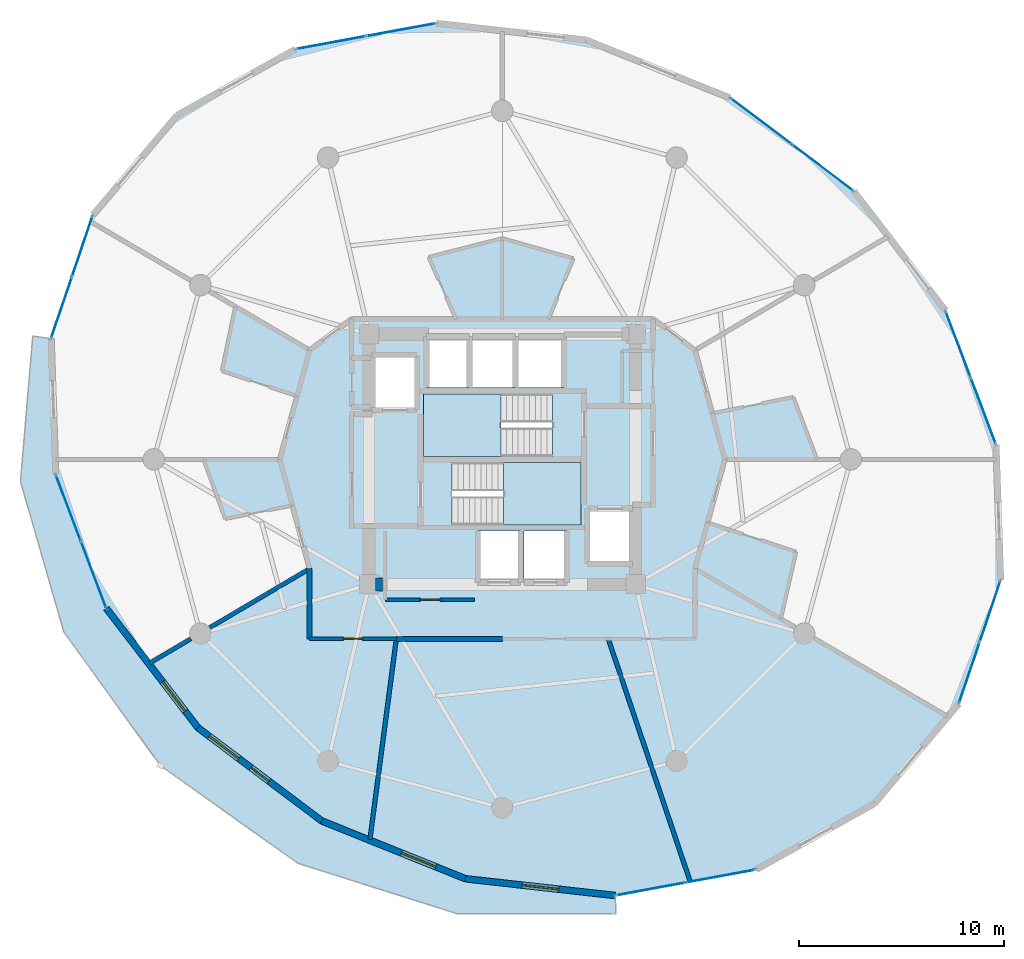
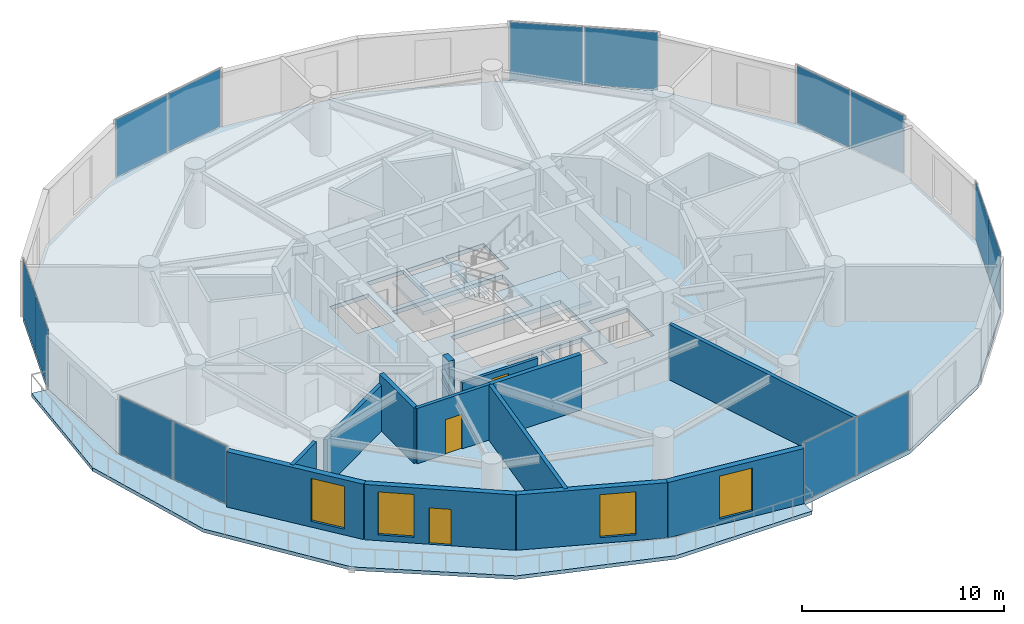
# One storey, part 20 of 25: 14 plates, 13 walls, 4 slabs, 4 windows, 3 doors, 7 openings, 9 elements without a shape of their own.
"""IFC4 building model written with IfcOpenShell, lengths in metres."""

from ifc_helpers import new_model, si_unit, direction, frame, frame_2d, origin, origin_2d, place, context, subcontext, project, spatial, polyline, rectangle, outline, extrude, source, transform, mapped, material, layer, layer_set, type_object, element, fill, aggregate, save


model = new_model("IFC4")

# Units and contexts
model_context = context("Model", 3, precision=1e-05, world=origin(), true_north=direction((0.0, 1.0)))
body_context = subcontext(model_context, "Body", "Model", "MODEL_VIEW")
ifc_project = project(units=[si_unit("LENGTHUNIT", "METRE"), si_unit("AREAUNIT", "SQUARE_METRE"), si_unit("VOLUMEUNIT", "CUBIC_METRE"), si_unit("PLANEANGLEUNIT", "RADIAN"), si_unit("MASSUNIT", "GRAM", prefix="KILO")], contexts=[model_context])

# Site, building, storey
site_placement = place(None, origin())
site = spatial("IfcSite", under=ifc_project, at=site_placement, CompositionType="ELEMENT")
building_placement = place(site_placement, origin())
building = spatial("IfcBuilding", under=site, at=building_placement, Name="Solvirekh Grand Hotel", CompositionType="ELEMENT")
storey_placement = place(building_placement, frame((0.0, 0.0, 102.60009765625)))
storey = spatial("IfcBuildingStorey", under=building, at=storey_placement, Name="L25", CompositionType="ELEMENT", Elevation=102.60009765625)

# Slab
ifc_material_1 = material(Name="Concrete C50/60", Category="concrete")
ifc_layer_1 = layer(ifc_material_1, 0.215087890625)
ifc_layer_set_1 = layer_set([ifc_layer_1], Name="Concrete C50/60")
slab_type_1 = type_object("IfcSlabType", Name="ExtCrescentBalc_215", PredefinedType="FLOOR", material=ifc_layer_set_1)
slab_1_placement = place(storey_placement, frame((0.0, 0.0, -0.215087890625)))
element("IfcSlab", 1, at=slab_1_placement, inside=storey, type_object=slab_type_1, Name="L25 sweeping crescent balcony slab", PredefinedType="FLOOR", context=body_context, shape_type="SweptSolid", body=[
    extrude(outline(polyline([(-22.902099609375, 6.013916015625), (-23.5, -1.073974609375), (-21.384033203125, -8.423095703125), (-16.66796875, -14.93896484375), (-9.968994140625, -19.700927734375), (-2.220947265625, -22.15087890625), (5.5390625, -22.173095703125), (5.510986328125, -21.27294921875), (-1.7900390625, -20.455078125), (-8.802978515625, -17.635009765625), (-14.842041015625, -13.089111328125), (-19.31494140625, -7.260986328125), (-21.785888671875, -0.722900390625), (-22.010986328125, 5.885986328125), (-22.902099609375, 6.013916015625)])), origin(), (0.0, 0.0, 1.0), 0.215087890625),
])

# Stair, slab
ifc_material_2 = material(Name="Concrete C40/50", Category="concrete")
stair_type = type_object("IfcStairType", Name="Stair_Core_1450", PredefinedType="HALF_TURN_STAIR", material=ifc_material_2)
stair_1_placement = place(storey_placement, origin())
stair_1 = element("IfcStair", 2, at=stair_1_placement, inside=storey, type_object=stair_type, Name="L25 Enclosed exit stair ST-1", PredefinedType="HALF_TURN_STAIR")
ifc_layer_2 = layer(ifc_material_2, 0.199951171875)
ifc_layer_set_2 = layer_set([ifc_layer_2], Name="Concrete C40/50")
slab_type_2 = type_object("IfcSlabType", Name="Landing_Stair_200", PredefinedType="LANDING", material=ifc_layer_set_2)
slab_2_placement = place(storey_placement, frame((0.0, 0.0, 1.599853515625)))
slab_2 = element("IfcSlab", 3, at=slab_2_placement, type_object=slab_type_2, Name="ST-1 landing 1", PredefinedType="LANDING", context=body_context, shape_type="SweptSolid", body=[
    extrude(outline(polyline([(0.070068359375, -3.199951171875), (3.85009765625, -3.199951171875), (3.85009765625, -0.14990234375), (0.070068359375, -0.14990234375), (0.070068359375, -3.199951171875)])), origin(), (0.0, 0.0, 1.0), 0.199951171875),
])
aggregate(stair_1, [slab_2])

stair_2_placement = place(storey_placement, origin())
stair_2 = element("IfcStair", 4, at=stair_2_placement, inside=storey, type_object=stair_type, Name="L25 Enclosed exit stair ST-2", PredefinedType="HALF_TURN_STAIR")
slab_3_placement = place(storey_placement, frame((0.0, 0.0, 1.599853515625)))
slab_3 = element("IfcSlab", 5, at=slab_3_placement, type_object=slab_type_2, Name="ST-2 landing 1", PredefinedType="LANDING", context=body_context, shape_type="SweptSolid", body=[
    extrude(outline(polyline([(-0.070068359375, 3.199951171875), (-3.85009765625, 3.199951171875), (-3.85009765625, 0.14990234375), (-0.070068359375, 0.14990234375), (-0.070068359375, 3.199951171875)])), origin(), (0.0, 0.0, 1.0), 0.199951171875),
])
aggregate(stair_2, [slab_3])

# Slab
ifc_layer_3 = layer(ifc_material_1, 0.25)
ifc_layer_set_3 = layer_set([ifc_layer_3], Name="Concrete C50/60")
slab_type_3 = type_object("IfcSlabType", Name="Slab_GuestZ2_250", PredefinedType="FLOOR", material=ifc_layer_set_3)
slab_4_placement = place(storey_placement, frame((0.0, 0.0, -0.25)))
element("IfcSlab", 6, at=slab_4_placement, inside=storey, type_object=slab_type_3, Name="L25 structural floor slab", PredefinedType="FLOOR", context=body_context, shape_type="SweptSolid", body=[
    extrude(outline(polyline([(22.26904296875, -11.9189453125), (24.31103515625, -5.885986328125), (24.0859375, 0.722900390625), (21.614990234375, 7.260986328125), (17.14208984375, 13.089111328125), (11.10302734375, 17.635009765625), (4.090087890625, 20.455078125), (-3.2109375, 21.27294921875), (-10.0849609375, 20.008056640625), (-15.85888671875, 16.784912109375), (-19.968994140625, 11.9189453125), (-22.010986328125, 5.885986328125), (-21.785888671875, -0.722900390625), (-19.31494140625, -7.260986328125), (-14.842041015625, -13.089111328125), (-8.802978515625, -17.635009765625), (-1.7900390625, -20.455078125), (5.510986328125, -21.27294921875), (12.385009765625, -20.008056640625), (18.158935546875, -16.784912109375), (22.26904296875, -11.9189453125)]), holes=[polyline([(-2.444091796875, -0.14990234375), (3.85009765625, -0.14990234375), (3.85009765625, -3.199951171875), (-2.444091796875, -3.199951171875), (-2.444091796875, -0.14990234375)]), polyline([(2.444091796875, 0.14990234375), (-3.85009765625, 0.14990234375), (-3.85009765625, 3.199951171875), (2.444091796875, 3.199951171875), (2.444091796875, 0.14990234375)]), polyline([(-1.199951171875, -3.5), (0.89990234375, -3.5), (0.89990234375, -6.0), (-1.199951171875, -6.0), (-1.199951171875, -3.5)]), polyline([(1.050048828125, -3.5), (3.14990234375, -3.5), (3.14990234375, -6.0), (1.050048828125, -6.0), (1.050048828125, -3.5)]), polyline([(-3.699951171875, 6.0), (-1.60009765625, 6.0), (-1.60009765625, 3.5), (-3.699951171875, 3.5), (-3.699951171875, 6.0)]), polyline([(-1.449951171875, 6.0), (0.64990234375, 6.0), (0.64990234375, 3.5), (-1.449951171875, 3.5), (-1.449951171875, 6.0)]), polyline([(0.800048828125, 6.0), (3.0, 6.0), (3.0, 3.5), (0.800048828125, 3.5), (0.800048828125, 6.0)]), polyline([(-6.35009765625, 5.10009765625), (-4.14990234375, 5.10009765625), (-4.14990234375, 2.39990234375), (-6.35009765625, 2.39990234375), (-6.35009765625, 5.10009765625)]), polyline([(4.14990234375, -2.39990234375), (6.35009765625, -2.39990234375), (6.35009765625, -5.10009765625), (4.14990234375, -5.10009765625), (4.14990234375, -2.39990234375)])]), origin(), (0.0, 0.0, 1.0), 0.25),
])

# Curtain wall, plates
ifc_material_3 = material(Name="Anodized Bronze Aluminium 6063-T6", Category="aluminium")
ifc_layer_4 = layer(ifc_material_3, 0.175048828125)
ifc_layer_set_4 = layer_set([ifc_layer_4], Name="Anodized Bronze Aluminium 6063-T6")
curtain_wall_type = type_object("IfcCurtainWallType", Name="CW_Sys3_MidZoneFlushBronzeCW", PredefinedType="NOTDEFINED", material=ifc_layer_set_4)
curtain_wall_1_placement = place(storey_placement, origin())
curtain_wall_1 = element("IfcCurtainWall", 7, at=curtain_wall_1_placement, inside=storey, type_object=curtain_wall_type, Name="L25 unitised bronze-glass curtain wall CW-L25-C01", PredefinedType="NOTDEFINED")
ifc_material_4 = material(Name="Low-E Tinted Bronze Laminated Glass", Category="aluminium")
ifc_layer_5 = layer(ifc_material_4, 0.035888671875)
ifc_layer_set_5 = layer_set([ifc_layer_5], Name="Low-E Tinted Bronze Laminated Glass")
plate_type = type_object("IfcPlateType", Name="CWPanel_Mid_36", PredefinedType="CURTAIN_PANEL", material=ifc_layer_set_5)
shared_shape_1 = source(origin(), body_context, "Body", "SweptSolid", [
    extrude(rectangle(XDim=3.087158203125, YDim=0.035888671875, at=origin_2d()), origin(), (0.0, 0.0, 1.0), 3.489990234375),
])
plate_1_placement = place(storey_placement, frame((22.78466796875, -10.395263671875, 0.0546875), z_axis=(0.0, 0.0, 1.0), x_axis=(0.320604843106, 0.947213035477, 0.0)))
plate_1 = element("IfcPlate", 8, at=plate_1_placement, type_object=plate_type, Name="U03 panel 1.1", PredefinedType="CURTAIN_PANEL", context=body_context, shape_type="MappedRepresentation", body=[
    mapped(shared_shape_1, transform((0.0, 0.0, 0.0), x_axis=(1.0, 0.0, 0.0), y_axis=(0.0, 1.0, 0.0), z_axis=(0.0, 0.0, 1.0), scale=1.0)),
])
plate_2_placement = place(storey_placement, frame((23.79541015625, -7.40966796875, 0.0546875), z_axis=(0.0, 0.0, 1.0), x_axis=(0.320604843106, 0.947213035477, 0.0)))
plate_2 = element("IfcPlate", 9, at=plate_2_placement, type_object=plate_type, Name="U03 panel 2.1", PredefinedType="CURTAIN_PANEL", context=body_context, shape_type="MappedRepresentation", body=[
    mapped(shared_shape_1, transform((0.0, 0.0, 0.0), x_axis=(1.0, 0.0, 0.0), y_axis=(0.0, 1.0, 0.0), z_axis=(0.0, 0.0, 1.0), scale=1.0)),
])
aggregate(curtain_wall_1, [plate_1, plate_2])

curtain_wall_2_placement = place(storey_placement, origin())
curtain_wall_2 = element("IfcCurtainWall", 10, at=curtain_wall_2_placement, inside=storey, type_object=curtain_wall_type, Name="L25 unitised bronze-glass curtain wall CW-L25-C11", PredefinedType="NOTDEFINED")
plate_3_placement = place(storey_placement, frame((-20.484619140625, 10.395263671875, 0.0546875), z_axis=(0.0, 0.0, 1.0), x_axis=(-0.320604843106, -0.947213035477, 0.0)))
plate_3 = element("IfcPlate", 11, at=plate_3_placement, type_object=plate_type, Name="U03 panel 1.1", PredefinedType="CURTAIN_PANEL", context=body_context, shape_type="MappedRepresentation", body=[
    mapped(shared_shape_1, transform((0.0, 0.0, 0.0), x_axis=(1.0, 0.0, 0.0), y_axis=(0.0, 1.0, 0.0), z_axis=(0.0, 0.0, 1.0), scale=1.0)),
])
plate_4_placement = place(storey_placement, frame((-21.495361328125, 7.40966796875, 0.0546875), z_axis=(0.0, 0.0, 1.0), x_axis=(-0.320604843106, -0.947213035477, 0.0)))
plate_4 = element("IfcPlate", 12, at=plate_4_placement, type_object=plate_type, Name="U03 panel 2.1", PredefinedType="CURTAIN_PANEL", context=body_context, shape_type="MappedRepresentation", body=[
    mapped(shared_shape_1, transform((0.0, 0.0, 0.0), x_axis=(1.0, 0.0, 0.0), y_axis=(0.0, 1.0, 0.0), z_axis=(0.0, 0.0, 1.0), scale=1.0)),
])
aggregate(curtain_wall_2, [plate_3, plate_4])

curtain_wall_3_placement = place(storey_placement, origin())
curtain_wall_3 = element("IfcCurtainWall", 13, at=curtain_wall_3_placement, inside=storey, type_object=curtain_wall_type, Name="L25 unitised bronze-glass curtain wall CW-L25-C03", PredefinedType="NOTDEFINED")
shared_shape_2 = source(origin(), body_context, "Body", "SweptSolid", [
    extrude(rectangle(XDim=3.397216796875, YDim=0.035888671875, at=origin_2d()), origin(), (0.0, 0.0, 1.0), 3.489990234375),
])
plate_5_placement = place(storey_placement, frame((23.46240234375, 2.372802734375, 0.0546875), z_axis=(0.0, 0.0, 1.0), x_axis=(-0.353536899934, 0.935420579411, 0.0)))
plate_5 = element("IfcPlate", 14, at=plate_5_placement, type_object=plate_type, Name="U03 panel 1.1", PredefinedType="CURTAIN_PANEL", context=body_context, shape_type="MappedRepresentation", body=[
    mapped(shared_shape_2, transform((0.0, 0.0, 0.0), x_axis=(1.0, 0.0, 0.0), y_axis=(0.0, 1.0, 0.0), z_axis=(0.0, 0.0, 1.0), scale=1.0)),
])
plate_6_placement = place(storey_placement, frame((22.238525390625, 5.611328125, 0.0546875), z_axis=(0.0, 0.0, 1.0), x_axis=(-0.353536899934, 0.935420579411, 0.0)))
plate_6 = element("IfcPlate", 15, at=plate_6_placement, type_object=plate_type, Name="U03 panel 2.1", PredefinedType="CURTAIN_PANEL", context=body_context, shape_type="MappedRepresentation", body=[
    mapped(shared_shape_2, transform((0.0, 0.0, 0.0), x_axis=(1.0, 0.0, 0.0), y_axis=(0.0, 1.0, 0.0), z_axis=(0.0, 0.0, 1.0), scale=1.0)),
])
aggregate(curtain_wall_3, [plate_5, plate_6])

curtain_wall_4_placement = place(storey_placement, origin())
curtain_wall_4 = element("IfcCurtainWall", 16, at=curtain_wall_4_placement, inside=storey, type_object=curtain_wall_type, Name="L25 unitised bronze-glass curtain wall CW-L25-C08", PredefinedType="NOTDEFINED")
plate_7_placement = place(storey_placement, frame((-4.945556640625, 20.953857421875, 0.0546875), z_axis=(0.0, 0.0, 1.0), x_axis=(-0.983485371719, -0.180987633873, 0.0)))
plate_7 = element("IfcPlate", 17, at=plate_7_placement, type_object=plate_type, Name="U03 panel 1.1", PredefinedType="CURTAIN_PANEL", context=body_context, shape_type="MappedRepresentation", body=[
    mapped(shared_shape_2, transform((0.0, 0.0, 0.0), x_axis=(1.0, 0.0, 0.0), y_axis=(0.0, 1.0, 0.0), z_axis=(0.0, 0.0, 1.0), scale=1.0)),
])
plate_8_placement = place(storey_placement, frame((-8.3505859375, 20.3271484375, 0.0546875), z_axis=(0.0, 0.0, 1.0), x_axis=(-0.983485371719, -0.180987633873, 0.0)))
plate_8 = element("IfcPlate", 18, at=plate_8_placement, type_object=plate_type, Name="U03 panel 2.1", PredefinedType="CURTAIN_PANEL", context=body_context, shape_type="MappedRepresentation", body=[
    mapped(shared_shape_2, transform((0.0, 0.0, 0.0), x_axis=(1.0, 0.0, 0.0), y_axis=(0.0, 1.0, 0.0), z_axis=(0.0, 0.0, 1.0), scale=1.0)),
])
aggregate(curtain_wall_4, [plate_7, plate_8])

curtain_wall_5_placement = place(storey_placement, origin())
curtain_wall_5 = element("IfcCurtainWall", 19, at=curtain_wall_5_placement, inside=storey, type_object=curtain_wall_type, Name="L25 unitised bronze-glass curtain wall CW-L25-C13", PredefinedType="NOTDEFINED")
plate_9_placement = place(storey_placement, frame((-21.16259765625, -2.372802734375, 0.0546875), z_axis=(0.0, 0.0, 1.0), x_axis=(0.353536899934, -0.935420579411, 0.0)))
plate_9 = element("IfcPlate", 20, at=plate_9_placement, type_object=plate_type, Name="U03 panel 1.1", PredefinedType="CURTAIN_PANEL", context=body_context, shape_type="MappedRepresentation", body=[
    mapped(shared_shape_2, transform((0.0, 0.0, 0.0), x_axis=(1.0, 0.0, 0.0), y_axis=(0.0, 1.0, 0.0), z_axis=(0.0, 0.0, 1.0), scale=1.0)),
])
plate_10_placement = place(storey_placement, frame((-19.9384765625, -5.611328125, 0.0546875), z_axis=(0.0, 0.0, 1.0), x_axis=(0.353536899934, -0.935420579411, 0.0)))
plate_10 = element("IfcPlate", 21, at=plate_10_placement, type_object=plate_type, Name="U03 panel 2.1", PredefinedType="CURTAIN_PANEL", context=body_context, shape_type="MappedRepresentation", body=[
    mapped(shared_shape_2, transform((0.0, 0.0, 0.0), x_axis=(1.0, 0.0, 0.0), y_axis=(0.0, 1.0, 0.0), z_axis=(0.0, 0.0, 1.0), scale=1.0)),
])
aggregate(curtain_wall_5, [plate_9, plate_10])

curtain_wall_6_placement = place(storey_placement, origin())
curtain_wall_6 = element("IfcCurtainWall", 22, at=curtain_wall_6_placement, inside=storey, type_object=curtain_wall_type, Name="L25 unitised bronze-glass curtain wall CW-L25-C18", PredefinedType="NOTDEFINED")
plate_11_placement = place(storey_placement, frame((7.245361328125, -20.953857421875, 0.0546875), z_axis=(0.0, 0.0, 1.0), x_axis=(0.983485371719, 0.180987633873, 0.0)))
plate_11 = element("IfcPlate", 23, at=plate_11_placement, type_object=plate_type, Name="U03 panel 1.1", PredefinedType="CURTAIN_PANEL", context=body_context, shape_type="MappedRepresentation", body=[
    mapped(shared_shape_2, transform((0.0, 0.0, 0.0), x_axis=(1.0, 0.0, 0.0), y_axis=(0.0, 1.0, 0.0), z_axis=(0.0, 0.0, 1.0), scale=1.0)),
])
plate_12_placement = place(storey_placement, frame((10.650634765625, -20.3271484375, 0.0546875), z_axis=(0.0, 0.0, 1.0), x_axis=(0.983485371719, 0.180987633873, 0.0)))
plate_12 = element("IfcPlate", 24, at=plate_12_placement, type_object=plate_type, Name="U03 panel 2.1", PredefinedType="CURTAIN_PANEL", context=body_context, shape_type="MappedRepresentation", body=[
    mapped(shared_shape_2, transform((0.0, 0.0, 0.0), x_axis=(1.0, 0.0, 0.0), y_axis=(0.0, 1.0, 0.0), z_axis=(0.0, 0.0, 1.0), scale=1.0)),
])
aggregate(curtain_wall_6, [plate_11, plate_12])

curtain_wall_7_placement = place(storey_placement, origin())
curtain_wall_7 = element("IfcCurtainWall", 25, at=curtain_wall_7_placement, inside=storey, type_object=curtain_wall_type, Name="L25 unitised bronze-glass curtain wall CW-L25-C05", PredefinedType="NOTDEFINED")
shared_shape_3 = source(origin(), body_context, "Body", "SweptSolid", [
    extrude(rectangle(XDim=3.681884765625, YDim=0.035888671875, at=origin_2d()), origin(), (0.0, 0.0, 1.0), 3.489990234375),
])
plate_13_placement = place(storey_placement, frame((15.619384765625, 14.2353515625, 0.0546875), z_axis=(0.0, 0.0, 1.0), x_axis=(-0.798935083696, 0.601417269489, 0.0)))
plate_13 = element("IfcPlate", 26, at=plate_13_placement, type_object=plate_type, Name="U03 panel 1.1", PredefinedType="CURTAIN_PANEL", context=body_context, shape_type="MappedRepresentation", body=[
    mapped(shared_shape_3, transform((0.0, 0.0, 0.0), x_axis=(1.0, 0.0, 0.0), y_axis=(0.0, 1.0, 0.0), z_axis=(0.0, 0.0, 1.0), scale=1.0)),
])
plate_14_placement = place(storey_placement, frame((12.625732421875, 16.48876953125, 0.0546875), z_axis=(0.0, 0.0, 1.0), x_axis=(-0.798935083696, 0.601417269489, 0.0)))
plate_14 = element("IfcPlate", 27, at=plate_14_placement, type_object=plate_type, Name="U03 panel 2.1", PredefinedType="CURTAIN_PANEL", context=body_context, shape_type="MappedRepresentation", body=[
    mapped(shared_shape_3, transform((0.0, 0.0, 0.0), x_axis=(1.0, 0.0, 0.0), y_axis=(0.0, 1.0, 0.0), z_axis=(0.0, 0.0, 1.0), scale=1.0)),
])
aggregate(curtain_wall_7, [plate_13, plate_14])

# Wall
ifc_layer_6 = layer(ifc_material_1, 0.64990234375)
ifc_layer_set_6 = layer_set([ifc_layer_6], Name="Concrete C50/60")
wall_type_1 = type_object("IfcWallType", Name="CoreWall_RC650", PredefinedType="SHEAR", material=ifc_layer_set_6)
wall_1_placement = place(storey_placement, frame((-6.175048828125, -6.10009765625, 0.0), z_axis=(0.0, 0.0, 1.0), x_axis=(1.0, 0.0, 0.0)))
element("IfcWall", 28, at=wall_1_placement, inside=storey, type_object=wall_type_1, Name="L25 core corner shear wall SW-S", PredefinedType="SHEAR", context=body_context, shape_type="SweptSolid", body=[
    extrude(rectangle(XDim=0.324951171875, YDim=0.64990234375, at=frame_2d((0.16259765625, 0.0))), origin(), (0.0, 0.0, 1.0), 3.599853515625),
])

# Wall, opening, window
ifc_material_5 = material(Name="Precast concrete C45/55", Category="concrete")
ifc_layer_7 = layer(ifc_material_5, 0.320068359375)
ifc_layer_set_7 = layer_set([ifc_layer_7], Name="Precast concrete C45/55")
wall_type_2 = type_object("IfcWallType", Name="ExtLobbyWall_RC320", PredefinedType="SOLIDWALL", material=ifc_layer_set_7)
wall_2_placement = place(storey_placement, frame((-14.842041015625, -13.089111328125, 0.0), z_axis=(0.0, 0.0, 1.0), x_axis=(-0.608831916989, 0.793299247986, 0.0)))
wall_2 = element("IfcWall", 29, at=wall_2_placement, inside=storey, type_object=wall_type_2, Name="L25 exterior structural wall chord 14", PredefinedType="SOLIDWALL", context=body_context, shape_type="SweptSolid", body=[
    extrude(rectangle(XDim=7.3466796875, YDim=0.320068359375, at=frame_2d((3.67333984375, 0.0))), origin(), (0.0, 0.0, 1.0), 3.349853515625),
])
opening_1_placement = place(wall_2_placement, frame((1.02099609375, 0.0, 0.35009765625)))
opening_1 = element("IfcOpeningElement", 30, at=opening_1_placement, cuts=wall_2, Name="Opening W02", PredefinedType="OPENING", context=body_context, shape_type="SweptSolid", body=[
    extrude(rectangle(XDim=1.800048828125, YDim=2.60009765625, at=frame_2d((0.89990234375, 1.300048828125))), frame((0.0, 0.169921875, 0.0), z_axis=(0.0, -1.0, 0.0), x_axis=(1.0, 0.0, 0.0)), (0.0, 0.0, 1.0), 0.340087890625),
])
window_type = type_object("IfcWindowType", Name="Win_LobbyExt_1800X2600", PartitioningType="SINGLE_PANEL", PredefinedType="WINDOW", material=ifc_material_4)
window_1_placement = place(opening_1_placement, origin())
window_1 = element("IfcWindow", 31, at=window_1_placement, inside=storey, type_object=window_type, Name="L25 panoramic bronze-framed window 14", OverallHeight=2.60009765625, OverallWidth=1.800048828125, PartitioningType="SINGLE_PANEL", PredefinedType="WINDOW", context=body_context, shape_type="SweptSolid", body=[
    extrude(rectangle(XDim=1.800048828125, YDim=2.60009765625, at=frame_2d((0.89990234375, 1.300048828125))), frame((0.0, 0.030029296875, 0.0), z_axis=(0.0, -1.0, 0.0), x_axis=(1.0, 0.0, 0.0)), (0.0, 0.0, 1.0), 0.06005859375),
])
fill(opening_1, window_1)

# Wall, openings, door, window
wall_3_placement = place(storey_placement, frame((-8.802978515625, -17.635009765625, 0.0), z_axis=(0.0, 0.0, 1.0), x_axis=(-0.798944530401, 0.601404720087, 0.0)))
wall_3 = element("IfcWall", 32, at=wall_3_placement, inside=storey, type_object=wall_type_2, Name="L25 exterior structural wall chord 15", PredefinedType="SOLIDWALL", context=body_context, shape_type="SweptSolid", body=[
    extrude(rectangle(XDim=7.558837890625, YDim=0.320068359375, at=frame_2d((3.779296875, 0.0))), origin(), (0.0, 0.0, 1.0), 3.349853515625),
])
opening_2_placement = place(wall_3_placement, frame((5.069091796875, 0.0, 0.35009765625)))
opening_2 = element("IfcOpeningElement", 33, at=opening_2_placement, cuts=wall_3, Name="Opening W02", PredefinedType="OPENING", context=body_context, shape_type="SweptSolid", body=[
    extrude(rectangle(XDim=1.800048828125, YDim=2.60009765625, at=frame_2d((0.89990234375, 1.300048828125))), frame((0.0, 0.169921875, 0.0), z_axis=(0.0, -1.0, 0.0), x_axis=(1.0, 0.0, 0.0)), (0.0, 0.0, 1.0), 0.340087890625),
])
opening_3_placement = place(wall_3_placement, frame((3.22900390625, 0.0, 0.0)))
opening_3 = element("IfcOpeningElement", 34, at=opening_3_placement, cuts=wall_3, Name="Opening D03", PredefinedType="OPENING", context=body_context, shape_type="SweptSolid", body=[
    extrude(rectangle(XDim=1.10009765625, YDim=2.199951171875, at=frame_2d((0.550048828125, 1.10009765625))), frame((0.0, 0.169921875, 0.0), z_axis=(0.0, -1.0, 0.0), x_axis=(1.0, 0.0, 0.0)), (0.0, 0.0, 1.0), 0.340087890625),
])
door_type_1 = type_object("IfcDoorType", Name="Door_ExtBalcony_1100X2200", OperationType="NOTDEFINED", PredefinedType="DOOR", material=ifc_material_3)
door_1_placement = place(opening_3_placement, origin())
door_1 = element("IfcDoor", 35, at=door_1_placement, inside=storey, type_object=door_type_1, Name="L25 Crescent balcony glazed door (15)", OperationType="SINGLE_SWING_RIGHT", OverallHeight=2.199951171875, OverallWidth=1.10009765625, PredefinedType="DOOR", context=body_context, shape_type="SweptSolid", body=[
    extrude(rectangle(XDim=1.10009765625, YDim=2.199951171875, at=frame_2d((0.550048828125, 1.10009765625))), frame((0.0, 0.02490234375, 0.0), z_axis=(0.0, -1.0, 0.0), x_axis=(1.0, 0.0, 0.0)), (0.0, 0.0, 1.0), 0.050048828125),
])
fill(opening_3, door_1)
window_2_placement = place(opening_2_placement, origin())
window_2 = element("IfcWindow", 36, at=window_2_placement, inside=storey, type_object=window_type, Name="L25 exterior side window 15", OverallHeight=2.60009765625, OverallWidth=1.800048828125, PartitioningType="SINGLE_PANEL", PredefinedType="WINDOW", context=body_context, shape_type="SweptSolid", body=[
    extrude(rectangle(XDim=1.800048828125, YDim=2.60009765625, at=frame_2d((0.89990234375, 1.300048828125))), frame((0.0, 0.030029296875, 0.0), z_axis=(0.0, -1.0, 0.0), x_axis=(1.0, 0.0, 0.0)), (0.0, 0.0, 1.0), 0.06005859375),
])
fill(opening_2, window_2)

# Wall, opening, window
wall_4_placement = place(storey_placement, frame((-1.7900390625, -20.455078125, 0.0), z_axis=(0.0, 0.0, 1.0), x_axis=(-0.927795739468, 0.373088549577, 0.0)))
wall_4 = element("IfcWall", 37, at=wall_4_placement, inside=storey, type_object=wall_type_2, Name="L25 exterior structural wall chord 16", PredefinedType="SOLIDWALL", context=body_context, shape_type="SweptSolid", body=[
    extrude(rectangle(XDim=7.55859375, YDim=0.320068359375, at=frame_2d((3.779296875, 0.0))), origin(), (0.0, 0.0, 1.0), 3.349853515625),
])
opening_4_placement = place(wall_4_placement, frame((1.572021484375, 0.0, 0.35009765625)))
opening_4 = element("IfcOpeningElement", 38, at=opening_4_placement, cuts=wall_4, Name="Opening W02", PredefinedType="OPENING", context=body_context, shape_type="SweptSolid", body=[
    extrude(rectangle(XDim=1.800048828125, YDim=2.60009765625, at=frame_2d((0.89990234375, 1.300048828125))), frame((0.0, 0.169921875, 0.0), z_axis=(0.0, -1.0, 0.0), x_axis=(1.0, 0.0, 0.0)), (0.0, 0.0, 1.0), 0.340087890625),
])
window_3_placement = place(opening_4_placement, origin())
window_3 = element("IfcWindow", 39, at=window_3_placement, inside=storey, type_object=window_type, Name="L25 panoramic bronze-framed window 16", OverallHeight=2.60009765625, OverallWidth=1.800048828125, PartitioningType="SINGLE_PANEL", PredefinedType="WINDOW", context=body_context, shape_type="SweptSolid", body=[
    extrude(rectangle(XDim=1.800048828125, YDim=2.60009765625, at=frame_2d((0.89990234375, 1.300048828125))), frame((0.0, 0.030029296875, 0.0), z_axis=(0.0, -1.0, 0.0), x_axis=(1.0, 0.0, 0.0)), (0.0, 0.0, 1.0), 0.06005859375),
])
fill(opening_4, window_3)

wall_5_placement = place(storey_placement, frame((5.510986328125, -21.27294921875, 0.0), z_axis=(0.0, 0.0, 1.0), x_axis=(-0.993784044115, 0.111325081016, 0.0)))
wall_5 = element("IfcWall", 40, at=wall_5_placement, inside=storey, type_object=wall_type_2, Name="L25 exterior structural wall chord 17", PredefinedType="SOLIDWALL", context=body_context, shape_type="SweptSolid", body=[
    extrude(rectangle(XDim=7.3466796875, YDim=0.320068359375, at=frame_2d((3.67333984375, 0.0))), origin(), (0.0, 0.0, 1.0), 3.349853515625),
])
opening_5_placement = place(wall_5_placement, frame((2.77294921875, 0.0, 0.35009765625)))
opening_5 = element("IfcOpeningElement", 41, at=opening_5_placement, cuts=wall_5, Name="Opening W02", PredefinedType="OPENING", context=body_context, shape_type="SweptSolid", body=[
    extrude(rectangle(XDim=1.800048828125, YDim=2.60009765625, at=frame_2d((0.89990234375, 1.300048828125))), frame((0.0, 0.169921875, 0.0), z_axis=(0.0, -1.0, 0.0), x_axis=(1.0, 0.0, 0.0)), (0.0, 0.0, 1.0), 0.340087890625),
])
window_4_placement = place(opening_5_placement, origin())
window_4 = element("IfcWindow", 42, at=window_4_placement, inside=storey, type_object=window_type, Name="L25 panoramic bronze-framed window 17", OverallHeight=2.60009765625, OverallWidth=1.800048828125, PartitioningType="SINGLE_PANEL", PredefinedType="WINDOW", context=body_context, shape_type="SweptSolid", body=[
    extrude(rectangle(XDim=1.800048828125, YDim=2.60009765625, at=frame_2d((0.89990234375, 1.300048828125))), frame((0.0, 0.030029296875, 0.0), z_axis=(0.0, -1.0, 0.0), x_axis=(1.0, 0.0, 0.0)), (0.0, 0.0, 1.0), 0.06005859375),
])
fill(opening_5, window_4)

# Wall, opening, door
ifc_material_6 = material(Name="Acoustic Gypsum Partition Assembly")
ifc_layer_8 = layer(ifc_material_6, 0.1650390625)
ifc_layer_set_8 = layer_set([ifc_layer_8], Name="Acoustic Gypsum Partition Assembly")
wall_type_3 = type_object("IfcWallType", Name="Part_BOH_165", PredefinedType="PARTITIONING", material=ifc_layer_set_8)
wall_6_placement = place(storey_placement, frame((-5.699951171875, -6.85009765625, 0.0), z_axis=(0.0, 0.0, 1.0), x_axis=(1.0, 0.0, 0.0)))
wall_6 = element("IfcWall", 43, at=wall_6_placement, inside=storey, type_object=wall_type_3, Name="L25 Mid-Zone Housekeeping Linen Room wall 1", PredefinedType="PARTITIONING", context=body_context, shape_type="SweptSolid", body=[
    extrude(rectangle(XDim=4.349853515625, YDim=0.1650390625, at=frame_2d((2.1748046875, 0.0))), origin(), (0.0, 0.0, 1.0), 2.434814453125),
])
opening_6_placement = place(wall_6_placement, frame((1.699951171875, 0.0, 0.0)))
opening_6 = element("IfcOpeningElement", 44, at=opening_6_placement, cuts=wall_6, Name="Opening D10", PredefinedType="OPENING", context=body_context, shape_type="SweptSolid", body=[
    extrude(rectangle(XDim=0.949951171875, YDim=2.10009765625, at=frame_2d((0.47509765625, 1.050048828125))), frame((0.0, 0.092529296875, 0.0), z_axis=(0.0, -1.0, 0.0), x_axis=(1.0, 0.0, 0.0)), (0.0, 0.0, 1.0), 0.18505859375),
])
door_type_2 = type_object("IfcDoorType", Name="Door_RoomInt_950X2100", OperationType="NOTDEFINED", PredefinedType="DOOR", material=ifc_material_3)
door_2_placement = place(opening_6_placement, origin())
door_2 = element("IfcDoor", 45, at=door_2_placement, inside=storey, type_object=door_type_2, Name="L25 Mid-Zone Housekeeping Linen Room door", OperationType="SINGLE_SWING_RIGHT", OverallHeight=2.10009765625, OverallWidth=0.949951171875, PredefinedType="DOOR", context=body_context, shape_type="SweptSolid", body=[
    extrude(rectangle(XDim=0.949951171875, YDim=2.10009765625, at=frame_2d((0.47509765625, 1.050048828125))), frame((0.0, 0.02490234375, 0.0), z_axis=(0.0, -1.0, 0.0), x_axis=(1.0, 0.0, 0.0)), (0.0, 0.0, 1.0), 0.050048828125),
])
fill(opening_6, door_2)

# Walls
ifc_layer_9 = layer(ifc_material_6, 0.239990234375)
ifc_layer_set_9 = layer_set([ifc_layer_9], Name="Acoustic Gypsum Partition Assembly")
wall_type_4 = type_object("IfcWallType", Name="Part_Corridor_240", PredefinedType="PARTITIONING", material=ifc_layer_set_9)
wall_7_placement = place(storey_placement, frame((-9.39599609375, -5.324951171875, 0.0), z_axis=(0.0, 0.0, 1.0), x_axis=(0.0, -1.0, 0.0)))
element("IfcWall", 46, at=wall_7_placement, inside=storey, type_object=wall_type_4, Name="L25 L25 Ambassador Wintergarden corridor wall 1", PredefinedType="PARTITIONING", context=body_context, shape_type="SweptSolid", body=[
    extrude(rectangle(XDim=3.425048828125, YDim=0.239990234375, at=frame_2d((1.71240234375, 0.0))), origin(), (0.0, 0.0, 1.0), 3.349853515625),
])
wall_8_placement = place(storey_placement, frame((-5.16796875, -8.75, 0.0), z_axis=(0.0, 0.0, 1.0), x_axis=(1.0, 0.0, 0.0)))
element("IfcWall", 47, at=wall_8_placement, inside=storey, type_object=wall_type_4, Name="L25 L25 Riverfront Reading Lounge corridor wall 1", PredefinedType="PARTITIONING", context=body_context, shape_type="SweptSolid", body=[
    extrude(rectangle(XDim=5.16796875, YDim=0.239990234375, at=frame_2d((2.583984375, 0.0))), origin(), (0.0, 0.0, 1.0), 3.349853515625),
])

# Wall, opening, door
ifc_layer_10 = layer(ifc_material_6, 0.18994140625)
ifc_layer_set_10 = layer_set([ifc_layer_10], Name="Acoustic Gypsum Partition Assembly")
wall_type_5 = type_object("IfcWallType", Name="Part_GuestDemise_190", PredefinedType="PARTITIONING", material=ifc_layer_set_10)
wall_9_placement = place(storey_placement, frame((-9.39599609375, -8.75, 0.0), z_axis=(0.0, 0.0, 1.0), x_axis=(1.0, 0.0, 0.0)))
wall_9 = element("IfcWall", 48, at=wall_9_placement, inside=storey, type_object=wall_type_5, Name="L25 L25 Ambassador Wintergarden entrance wall", PredefinedType="PARTITIONING", context=body_context, shape_type="SweptSolid", body=[
    extrude(rectangle(XDim=4.22802734375, YDim=0.18994140625, at=frame_2d((2.114013671875, 0.0))), origin(), (0.0, 0.0, 1.0), 3.349853515625),
])
opening_7_placement = place(wall_9_placement, frame((1.638916015625, 0.0, 0.0)))
opening_7 = element("IfcOpeningElement", 49, at=opening_7_placement, cuts=wall_9, Name="Opening D10", PredefinedType="OPENING", context=body_context, shape_type="SweptSolid", body=[
    extrude(rectangle(XDim=0.949951171875, YDim=2.10009765625, at=frame_2d((0.47509765625, 1.050048828125))), frame((0.0, 0.10498046875, 0.0), z_axis=(0.0, -1.0, 0.0), x_axis=(1.0, 0.0, 0.0)), (0.0, 0.0, 1.0), 0.2099609375),
])
door_3_placement = place(opening_7_placement, origin())
door_3 = element("IfcDoor", 50, at=door_3_placement, inside=storey, type_object=door_type_2, Name="L25 L25 Ambassador Wintergarden entrance door", OperationType="SINGLE_SWING_LEFT", OverallHeight=2.10009765625, OverallWidth=0.949951171875, PredefinedType="DOOR", context=body_context, shape_type="SweptSolid", body=[
    extrude(rectangle(XDim=0.949951171875, YDim=2.10009765625, at=frame_2d((0.47509765625, 1.050048828125))), frame((0.0, 0.02490234375, 0.0), z_axis=(0.0, -1.0, 0.0), x_axis=(1.0, 0.0, 0.0)), (0.0, 0.0, 1.0), 0.050048828125),
])
fill(opening_7, door_3)

# Walls
ifc_layer_11 = layer(ifc_material_6, 0.2099609375)
ifc_layer_set_11 = layer_set([ifc_layer_11], Name="Acoustic Gypsum Partition Assembly")
wall_type_6 = type_object("IfcWallType", Name="Part_SuiteDemise_210", PredefinedType="PARTITIONING", material=ifc_layer_set_11)
wall_10_placement = place(storey_placement, frame((-9.39599609375, -5.324951171875, 0.0), z_axis=(0.0, 0.0, 1.0), x_axis=(-0.861187639937, -0.508287171607, 0.0)))
element("IfcWall", 51, at=wall_10_placement, inside=storey, type_object=wall_type_6, Name="L25 suite radial wall 8 (A)", PredefinedType="PARTITIONING", context=body_context, shape_type="SweptSolid", body=[
    extrude(rectangle(XDim=5.65625, YDim=0.2099609375, at=frame_2d((2.828125, 0.0))), origin(), (0.0, 0.0, 1.0), 2.791015625),
])
wall_11_placement = place(storey_placement, frame((-15.205078125, -8.7529296875, 0.0), z_axis=(0.0, 0.0, 1.0), x_axis=(-0.861151801863, -0.508347886932, 0.0)))
element("IfcWall", 52, at=wall_11_placement, inside=storey, type_object=wall_type_6, Name="L25 suite radial wall 8 (B)", PredefinedType="PARTITIONING", context=body_context, shape_type="SweptSolid", body=[
    extrude(rectangle(XDim=2.329345703125, YDim=0.2099609375, at=frame_2d((1.16455078125, 0.0))), origin(), (0.0, 0.0, 1.0), 3.349853515625),
])
wall_12_placement = place(storey_placement, frame((-5.16796875, -8.75, 0.0), z_axis=(0.0, 0.0, 1.0), x_axis=(-0.130403964366, -0.991460945311, 0.0)))
element("IfcWall", 53, at=wall_12_placement, inside=storey, type_object=wall_type_6, Name="L25 L25 Ambassador Wintergarden dividing partition 1", PredefinedType="PARTITIONING", context=body_context, shape_type="SweptSolid", body=[
    extrude(rectangle(XDim=9.8701171875, YDim=0.2099609375, at=frame_2d((4.93505859375, 0.0))), origin(), (0.0, 0.0, 1.0), 3.349853515625),
])
wall_13_placement = place(storey_placement, frame((5.16796875, -8.75, 0.0), z_axis=(0.0, 0.0, 1.0), x_axis=(0.319791389232, -0.947487977429, 0.0)))
element("IfcWall", 54, at=wall_13_placement, inside=storey, type_object=wall_type_6, Name="L25 L25 Riverfront Reading Lounge dividing partition 1", PredefinedType="PARTITIONING", context=body_context, shape_type="SweptSolid", body=[
    extrude(rectangle(XDim=12.4677734375, YDim=0.2099609375, at=frame_2d((6.23388671875, 0.0))), origin(), (0.0, 0.0, 1.0), 3.349853515625),
])

save(model, "model.ifc")
